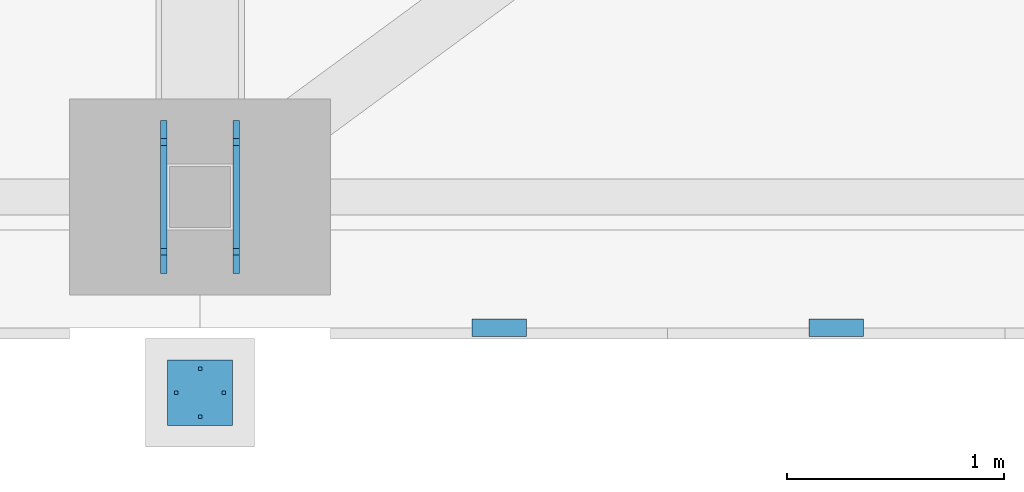
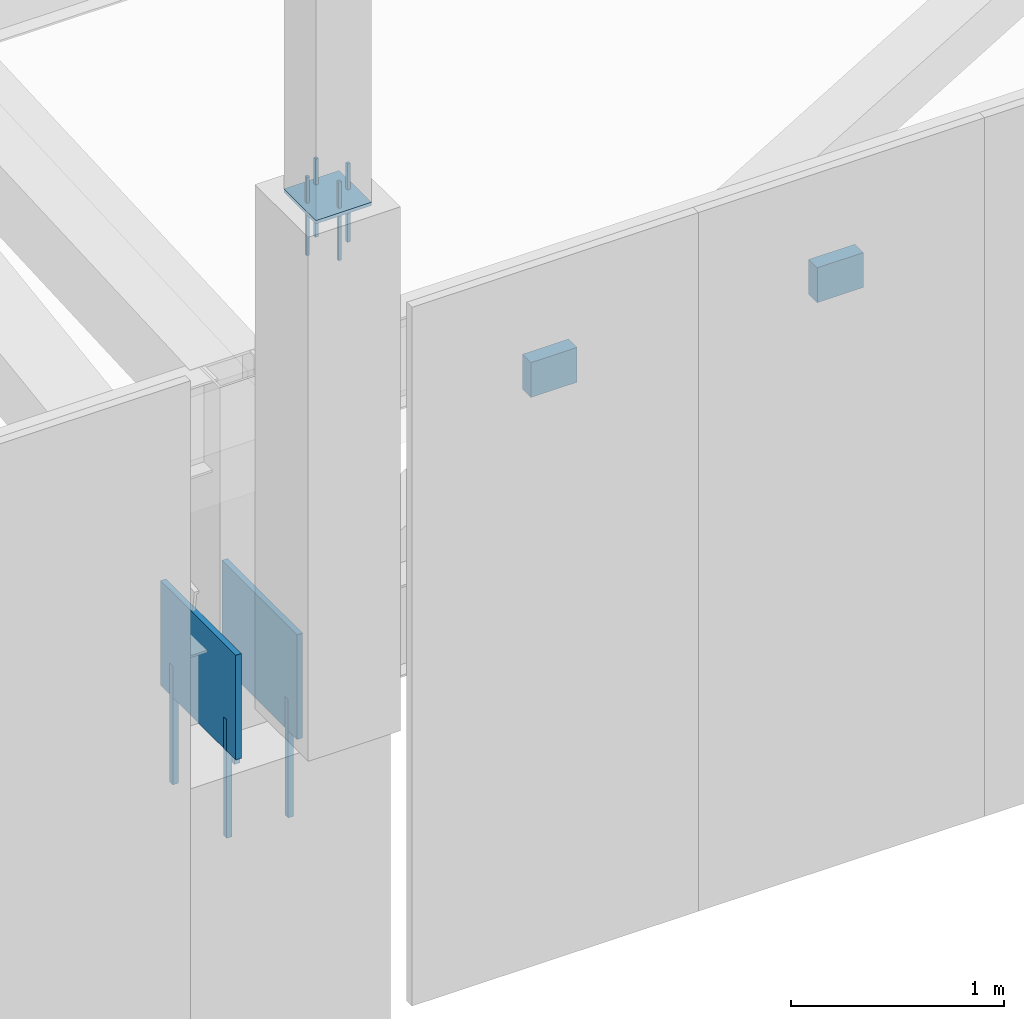
# One storey, part 137 of 278: 8 mechanical fasteners, 5 discrete accessories.
"""IFC4 building model written with IfcOpenShell, lengths in metres."""

from ifc_helpers import new_model, si_unit, direction, frame, origin, origin_2d, place, context, subcontext, project, spatial, rectangle, extrude, material, layer, layer_set, type_object, element, save


model = new_model("IFC4")

# Units and contexts
model_context = context("Model", 3, precision=1e-05, world=origin(), true_north=direction((0.0, 1.0)))
body_context = subcontext(model_context, "Body", "Model", "MODEL_VIEW")
ifc_project = project(units=[si_unit("LENGTHUNIT", "METRE"), si_unit("AREAUNIT", "SQUARE_METRE"), si_unit("VOLUMEUNIT", "CUBIC_METRE"), si_unit("PLANEANGLEUNIT", "RADIAN"), si_unit("MASSUNIT", "GRAM", prefix="KILO")], contexts=[model_context])

# Site, building, storey
site_placement = place(None, origin())
site = spatial("IfcSite", under=ifc_project, at=site_placement, CompositionType="ELEMENT")
building_placement = place(site_placement, origin())
building = spatial("IfcBuilding", under=site, at=building_placement, Name="Ogive Plaza Stadium", CompositionType="ELEMENT")
storey_placement = place(building_placement, frame((0.0, 0.0, 29.0)))
storey = spatial("IfcBuildingStorey", under=building, at=storey_placement, Name="Roof", CompositionType="ELEMENT", Elevation=29.0)

# Mechanical fasteners
ifc_material_1 = material(Name="Steel ASTM A992 Grade 50", Category="steel")
mechanical_fastener_type_1 = type_object("IfcMechanicalFastenerType", Name="Anchor bolt M30 x 600", PredefinedType="ANCHORBOLT", material=ifc_material_1)
for number, where, z_axis, x_axis, name in (
    (1, (6.96630859375, -102.75244140625, 3.0), (0.0, 0.0, 1.0), (0.0, -1.0, 0.0), "ANCHOR BOLT 14 BF 1.1"),
    (2, (6.96630859375, -102.24755859375, 3.0), (0.0, 0.0, 1.0), (0.0, -1.0, 0.0), "ANCHOR BOLT 14 BF 1.2"),
    (3, (6.633544921875, -102.75244140625, 3.0), (0.0, 0.0, 1.0), (0.0, -1.0, 0.0), "ANCHOR BOLT 14 BF 2.1"),
    (4, (6.633544921875, -102.24755859375, 3.0), (0.0, 0.0, 1.0), (0.0, -1.0, 0.0), "ANCHOR BOLT 14 BF 2.2"),
):
    element("IfcMechanicalFastener", number, at=place(storey_placement, frame(where, z_axis=z_axis, x_axis=x_axis)), inside=storey, type_object=mechanical_fastener_type_1, Name=name, PredefinedType="ANCHORBOLT", context=body_context, shape_type="SweptSolid", body=[
        extrude(rectangle(XDim=0.030029296875, YDim=0.030029296875, at=origin_2d()), origin(), (0.0, 0.0, 1.0), 0.679931640625),
    ])
ifc_material_2 = material(Name="Steel ASTM A992 Grade 50", Category="steel")
mechanical_fastener_type_2 = type_object("IfcMechanicalFastenerType", Name="Spire anchor bolt M16 x 450", PredefinedType="ANCHORBOLT", material=ifc_material_2)
for number, where, z_axis, x_axis, name in (
    (5, (6.800048828125, -103.510009765625, 6.7001953125), (0.0, 0.0, 1.0), (0.0, -1.0, 0.0), "SPIRE ANCHOR BOLT 14 1"),
    (6, (6.800048828125, -103.2900390625, 6.7001953125), (0.0, 0.0, 1.0), (0.0, -1.0, 0.0), "SPIRE ANCHOR BOLT 14 2"),
    (7, (6.909912109375, -103.39990234375, 6.7001953125), (0.0, 0.0, 1.0), (0.0, -1.0, 0.0), "SPIRE ANCHOR BOLT 14 3"),
    (8, (6.68994140625, -103.39990234375, 6.7001953125), (0.0, 0.0, 1.0), (0.0, -1.0, 0.0), "SPIRE ANCHOR BOLT 14 4"),
):
    element("IfcMechanicalFastener", number, at=place(storey_placement, frame(where, z_axis=z_axis, x_axis=x_axis)), inside=storey, type_object=mechanical_fastener_type_2, Name=name, PredefinedType="ANCHORBOLT", context=body_context, shape_type="SweptSolid", body=[
        extrude(rectangle(XDim=0.01611328125, YDim=0.01611328125, at=origin_2d()), origin(), (0.0, 0.0, 1.0), 0.449951171875),
    ])

# Discrete accessories
ifc_material_3 = material(Name="Steel ASTM A992 Grade 50", Category="steel")
ifc_layer_1 = layer(ifc_material_3, 0.02001953125)
ifc_layer_set_1 = layer_set([ifc_layer_1], Name="Steel ASTM A992 Grade 50")
discrete_accessory_type_1 = type_object("IfcDiscreteAccessoryType", Name="Spire seat plate 20", PredefinedType="ANCHORPLATE", material=ifc_layer_set_1)
discrete_accessory_placement = place(storey_placement, frame((6.800048828125, -103.39990234375, 6.98095703125), z_axis=(0.0, 0.0, 1.0), x_axis=(0.0, -1.0, 0.0)))
element("IfcDiscreteAccessory", 9, at=discrete_accessory_placement, inside=storey, type_object=discrete_accessory_type_1, Name="SPIRE SEAT PLATE 14", PredefinedType="ANCHORPLATE", context=body_context, shape_type="SweptSolid", body=[
    extrude(rectangle(XDim=0.300048828125, YDim=0.300048828125, at=origin_2d()), origin(), (0.0, 0.0, 1.0), 0.02001953125),
])
ifc_material_4 = material(Name="Steel ASTM A572 Grade 50", Category="steel")
ifc_layer_2 = layer(ifc_material_4, 0.080078125)
ifc_layer_set_2 = layer_set([ifc_layer_2], Name="Steel ASTM A572 Grade 50")
discrete_accessory_type_2 = type_object("IfcDiscreteAccessoryType", Name="Tracery screen bracket 250x200", PredefinedType="BRACKET", material=ifc_layer_set_2)
for number, where, z_axis, x_axis, name in (
    (10, (9.72509765625, -103.102294921875, 5.25), (0.0, 0.0, 1.0), (-1.0, 0.0, 0.0), "TRACERY SCREEN BRACKET B13 7"),
    (11, (8.175048828125, -103.102294921875, 5.25), (0.0, 0.0, 1.0), (-1.0, 0.0, 0.0), "TRACERY SCREEN BRACKET B13 8"),
):
    element("IfcDiscreteAccessory", number, at=place(storey_placement, frame(where, z_axis=z_axis, x_axis=x_axis)), inside=storey, type_object=discrete_accessory_type_2, Name=name, PredefinedType="BRACKET", context=body_context, shape_type="SweptSolid", body=[
        extrude(rectangle(XDim=0.25, YDim=0.080078125, at=origin_2d()), origin(), (0.0, 0.0, 1.0), 0.199951171875),
    ])
ifc_material_5 = material(Name="Steel ASTM A992 Grade 50", Category="steel")
ifc_layer_3 = layer(ifc_material_5, 0.030029296875)
ifc_layer_set_3 = layer_set([ifc_layer_3], Name="Steel ASTM A992 Grade 50")
discrete_accessory_type_3 = type_object("IfcDiscreteAccessoryType", Name="Truss back-stay foot cleat plate 30", PredefinedType="ANCHORPLATE", material=ifc_layer_set_3)
for number, where, z_axis, x_axis, name in (
    (12, (6.96630859375, -102.5, 3.5), (0.0, 0.0, 1.0), (0.0, -1.0, 0.0), "TRUSS BACK-STAY FOOT CLEAT PLATE 14 1"),
    (13, (6.633544921875, -102.5, 3.5), (0.0, 0.0, 1.0), (0.0, -1.0, 0.0), "TRUSS BACK-STAY FOOT CLEAT PLATE 14 2"),
):
    element("IfcDiscreteAccessory", number, at=place(storey_placement, frame(where, z_axis=z_axis, x_axis=x_axis)), inside=storey, type_object=discrete_accessory_type_3, Name=name, PredefinedType="ANCHORPLATE", context=body_context, shape_type="SweptSolid", body=[
        extrude(rectangle(XDim=0.704833984375, YDim=0.030029296875, at=origin_2d()), origin(), (0.0, 0.0, 1.0), 0.60009765625),
    ])

save(model, "model.ifc")
